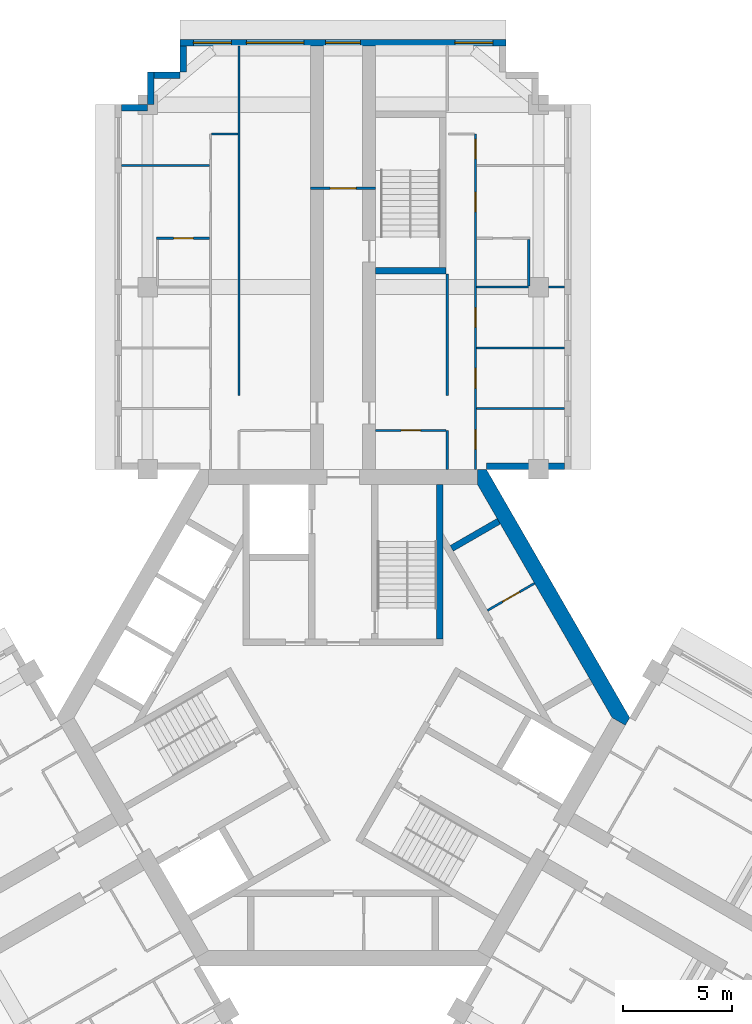
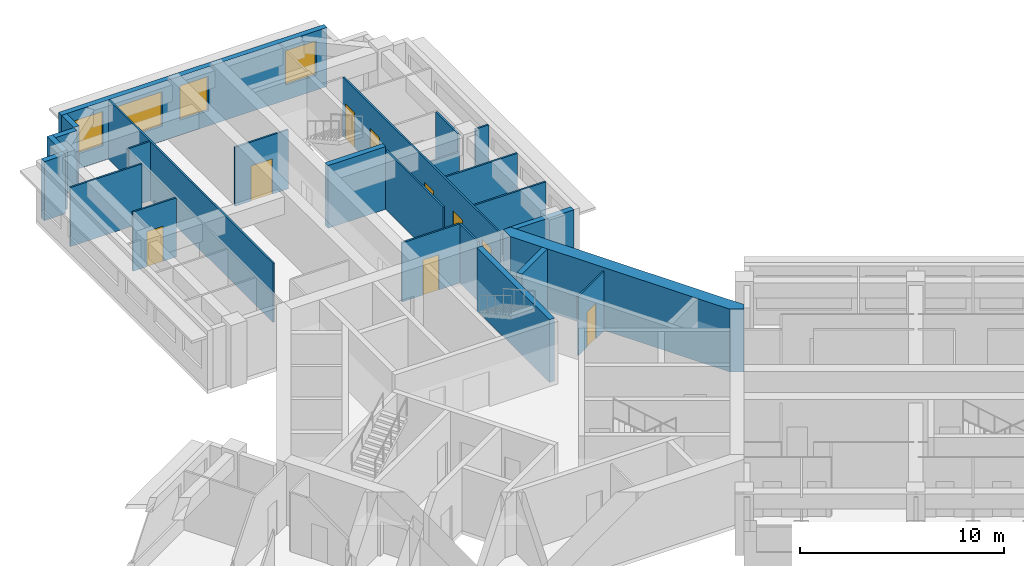
# One storey, part 8 of 11: 25 walls, 9 doors, 4 windows, 13 openings.
"""IFC4 building model written with IfcOpenShell, lengths in metres."""

from ifc_helpers import new_model, si_unit, direction, frame, frame_2d, origin, place, context, subcontext, project, spatial, polyline, rectangle, outline, extrude, material, layer, layer_set, type_object, element, fill, save


model = new_model("IFC4")

# Units and contexts
model_context = context("Model", 3, precision=1e-05, world=origin(), true_north=direction((0.0, 1.0)))
body_context = subcontext(model_context, "Body", "Model", "MODEL_VIEW")
ifc_project = project(units=[si_unit("LENGTHUNIT", "METRE"), si_unit("AREAUNIT", "SQUARE_METRE"), si_unit("VOLUMEUNIT", "CUBIC_METRE"), si_unit("PLANEANGLEUNIT", "RADIAN"), si_unit("MASSUNIT", "GRAM", prefix="KILO")], contexts=[model_context])

# Site, building, storey
site_placement = place(None, origin())
site = spatial("IfcSite", under=ifc_project, at=site_placement, CompositionType="ELEMENT")
building_placement = place(site_placement, origin())
building = spatial("IfcBuilding", under=site, at=building_placement, Name="Impinga Residences", CompositionType="ELEMENT")
storey_placement = place(building_placement, frame((0.0, 0.0, 244.75)))
storey = spatial("IfcBuildingStorey", under=building, at=storey_placement, Name="L61", CompositionType="ELEMENT", Elevation=244.75)

# Wall, opening, door
ifc_material_1 = material(Name="Concrete blockwork", Category="masonry")
ifc_layer_1 = layer(ifc_material_1, 0.10009765625)
ifc_layer_set_1 = layer_set([ifc_layer_1], Name="CP1 core room partition, blockwork 100")
wall_type_1 = type_object("IfcWallType", Name="CP1 core room partition, blockwork 100", PredefinedType="PARTITIONING", material=ifc_layer_set_1)
wall_1_placement = place(storey_placement, frame((6.65380859375, 4.9384765625, 0.0), z_axis=(0.0, 0.0, 1.0), x_axis=(0.866022959057, 0.500004234368, 0.0)))
wall_1 = element("IfcWall", 1, at=wall_1_placement, inside=storey, type_object=wall_type_1, Name="Core room partition, blockwork L61:CORE:mid:ZP1", PredefinedType="PARTITIONING", context=body_context, shape_type="SweptSolid", body=[
    extrude(rectangle(XDim=2.5, YDim=0.10009765625, at=frame_2d((1.25, 0.0))), origin(), (0.0, 0.0, 1.0), 3.530029296875),
])
opening_1_placement = place(wall_1_placement, frame((0.800048828125, 0.0, 0.0)))
opening_1 = element("IfcOpeningElement", 2, at=opening_1_placement, cuts=wall_1, Name="Opening D6", PredefinedType="OPENING", context=body_context, shape_type="SweptSolid", body=[
    extrude(rectangle(XDim=0.89990234375, YDim=2.10009765625, at=frame_2d((0.449951171875, 1.050048828125))), frame((0.0, 0.06005859375, 0.0), z_axis=(0.0, -1.0, 0.0), x_axis=(1.0, 0.0, 0.0)), (0.0, 0.0, 1.0), 0.1201171875),
])
ifc_material_2 = material(Name="Timber door set", Category="wood")
door_type_1 = type_object("IfcDoorType", Name="D6 riser and store door 900x2100", OperationType="SINGLE_SWING_LEFT", PredefinedType="DOOR", material=ifc_material_2)
door_1_placement = place(opening_1_placement, origin())
door_1 = element("IfcDoor", 3, at=door_1_placement, inside=storey, type_object=door_type_1, Name="Cleaners' store door", OperationType="SINGLE_SWING_LEFT", OverallHeight=2.10009765625, OverallWidth=0.89990234375, PredefinedType="DOOR", context=body_context, shape_type="SweptSolid", body=[
    extrude(rectangle(XDim=0.89990234375, YDim=2.10009765625, at=frame_2d((0.449951171875, 1.050048828125))), frame((0.0, 0.02490234375, 0.0), z_axis=(0.0, -1.0, 0.0), x_axis=(1.0, 0.0, 0.0)), (0.0, 0.0, 1.0), 0.050048828125),
])
fill(opening_1, door_1)

wall_2_placement = place(storey_placement, frame((-1.5, 24.381591796875, 0.0), z_axis=(0.0, 0.0, 1.0), x_axis=(1.0, 0.0, 0.0)))
wall_2 = element("IfcWall", 4, at=wall_2_placement, inside=storey, type_object=wall_type_1, Name="Core room partition, blockwork L61:N:LNG", PredefinedType="PARTITIONING", context=body_context, shape_type="SweptSolid", body=[
    extrude(rectangle(XDim=3.0, YDim=0.10009765625, at=frame_2d((1.5, 0.0))), origin(), (0.0, 0.0, 1.0), 3.530029296875),
])
opening_2_placement = place(wall_2_placement, frame((0.89990234375, 0.0, 0.0)))
opening_2 = element("IfcOpeningElement", 5, at=opening_2_placement, cuts=wall_2, Name="Opening D3", PredefinedType="OPENING", context=body_context, shape_type="SweptSolid", body=[
    extrude(rectangle(XDim=1.199951171875, YDim=2.10009765625, at=frame_2d((0.60009765625, 1.050048828125))), frame((0.0, 0.06005859375, 0.0), z_axis=(0.0, -1.0, 0.0), x_axis=(1.0, 0.0, 0.0)), (0.0, 0.0, 1.0), 0.1201171875),
])
door_type_2 = type_object("IfcDoorType", Name="D3 room door, leaf and a half 1200x2100", OperationType="DOUBLE_SWING_LEFT", PredefinedType="DOOR", material=ifc_material_2)
door_2_placement = place(opening_2_placement, origin())
door_2 = element("IfcDoor", 6, at=door_2_placement, inside=storey, type_object=door_type_2, Name="Residents' lounge door N", OperationType="DOUBLE_SWING_LEFT", OverallHeight=2.10009765625, OverallWidth=1.199951171875, PredefinedType="DOOR", context=body_context, shape_type="SweptSolid", body=[
    extrude(rectangle(XDim=1.199951171875, YDim=2.10009765625, at=frame_2d((0.60009765625, 1.050048828125))), frame((0.0, 0.02490234375, 0.0), z_axis=(0.0, -1.0, 0.0), x_axis=(1.0, 0.0, 0.0)), (0.0, 0.0, 1.0), 0.050048828125),
])
fill(opening_2, door_2)

# Walls
ifc_material_3 = material(Name="Terracotta rainscreen on blockwork", Category="masonry")
ifc_layer_2 = layer(ifc_material_3, 0.300048828125)
ifc_layer_set_2 = layer_set([ifc_layer_2], Name="EW1 external wall, terracotta rainscreen on blockwork 300")
wall_type_2 = type_object("IfcWallType", Name="EW1 external wall, terracotta rainscreen on blockwork 300", PredefinedType="SOLIDWALL", material=ifc_layer_set_2)
wall_3_placement = place(storey_placement, frame((-10.199951171875, 28.08154296875, 0.0), z_axis=(0.0, 0.0, 1.0), x_axis=(1.0, 0.0, 0.0)))
element("IfcWall", 7, at=wall_3_placement, inside=storey, type_object=wall_type_2, Name="External wall EW1 L61", PredefinedType="SOLIDWALL", context=body_context, shape_type="SweptSolid", body=[
    extrude(rectangle(XDim=1.199951171875, YDim=0.300048828125, at=frame_2d((0.60009765625, 0.0))), origin(), (0.0, 0.0, 1.0), 3.530029296875),
])
wall_4_placement = place(storey_placement, frame((-8.85009765625, 28.236572265625, 0.0), z_axis=(0.0, 0.0, 1.0), x_axis=(0.0, 1.0, 0.0)))
element("IfcWall", 8, at=wall_4_placement, inside=storey, type_object=wall_type_2, Name="External wall EW1 L61", PredefinedType="SOLIDWALL", context=body_context, shape_type="SweptSolid", body=[
    extrude(rectangle(XDim=1.494873046875, YDim=0.300048828125, at=frame_2d((0.74755859375, 0.0))), origin(), (0.0, 0.0, 1.0), 3.530029296875),
])
wall_5_placement = place(storey_placement, frame((-8.699951171875, 29.58154296875, 0.0), z_axis=(0.0, 0.0, 1.0), x_axis=(1.0, 0.0, 0.0)))
element("IfcWall", 9, at=wall_5_placement, inside=storey, type_object=wall_type_2, Name="External wall EW1 L61", PredefinedType="SOLIDWALL", context=body_context, shape_type="SweptSolid", body=[
    extrude(rectangle(XDim=1.199951171875, YDim=0.300048828125, at=frame_2d((0.60009765625, 0.0))), origin(), (0.0, 0.0, 1.0), 3.530029296875),
])
wall_6_placement = place(storey_placement, frame((-7.35009765625, 29.736572265625, 0.0), z_axis=(0.0, 0.0, 1.0), x_axis=(0.0, 1.0, 0.0)))
element("IfcWall", 10, at=wall_6_placement, inside=storey, type_object=wall_type_2, Name="External wall EW1 L61", PredefinedType="SOLIDWALL", context=body_context, shape_type="SweptSolid", body=[
    extrude(rectangle(XDim=1.195068359375, YDim=0.300048828125, at=frame_2d((0.59765625, 0.0))), origin(), (0.0, 0.0, 1.0), 3.530029296875),
])

# Wall, openings, windows
wall_7_placement = place(storey_placement, frame((-7.5, 31.08154296875, 0.0), z_axis=(0.0, 0.0, 1.0), x_axis=(1.0, 0.0, 0.0)))
wall_7 = element("IfcWall", 11, at=wall_7_placement, inside=storey, type_object=wall_type_2, Name="External wall EW1 L61", PredefinedType="SOLIDWALL", context=body_context, shape_type="SweptSolid", body=[
    extrude(rectangle(XDim=15.0, YDim=0.300048828125, at=frame_2d((7.5, 0.0))), origin(), (0.0, 0.0, 1.0), 3.530029296875),
])
opening_3_placement = place(wall_7_placement, frame((0.60009765625, 0.0, 0.89990234375)))
opening_3 = element("IfcOpeningElement", 12, at=opening_3_placement, cuts=wall_7, Name="Opening W1", PredefinedType="OPENING", context=body_context, shape_type="SweptSolid", body=[
    extrude(rectangle(XDim=1.75, YDim=2.050048828125, at=frame_2d((0.875, 1.02490234375))), frame((0.0, 0.159912109375, 0.0), z_axis=(0.0, -1.0, 0.0), x_axis=(1.0, 0.0, 0.0)), (0.0, 0.0, 1.0), 0.320068359375),
])
opening_4_placement = place(wall_7_placement, frame((3.050048828125, 0.0, 0.89990234375)))
opening_4 = element("IfcOpeningElement", 13, at=opening_4_placement, cuts=wall_7, Name="Opening W18", PredefinedType="OPENING", context=body_context, shape_type="SweptSolid", body=[
    extrude(rectangle(XDim=2.64990234375, YDim=2.050048828125, at=frame_2d((1.324951171875, 1.02490234375))), frame((0.0, 0.159912109375, 0.0), z_axis=(0.0, -1.0, 0.0), x_axis=(1.0, 0.0, 0.0)), (0.0, 0.0, 1.0), 0.320068359375),
])
opening_5_placement = place(wall_7_placement, frame((6.699951171875, 0.0, 0.89990234375)))
opening_5 = element("IfcOpeningElement", 14, at=opening_5_placement, cuts=wall_7, Name="Opening W19", PredefinedType="OPENING", context=body_context, shape_type="SweptSolid", body=[
    extrude(rectangle(XDim=1.60009765625, YDim=2.050048828125, at=frame_2d((0.800048828125, 1.02490234375))), frame((0.0, 0.159912109375, 0.0), z_axis=(0.0, -1.0, 0.0), x_axis=(1.0, 0.0, 0.0)), (0.0, 0.0, 1.0), 0.320068359375),
])
opening_6_placement = place(wall_7_placement, frame((12.64990234375, 0.0, 0.89990234375)))
opening_6 = element("IfcOpeningElement", 15, at=opening_6_placement, cuts=wall_7, Name="Opening W1", PredefinedType="OPENING", context=body_context, shape_type="SweptSolid", body=[
    extrude(rectangle(XDim=1.75, YDim=2.050048828125, at=frame_2d((0.875, 1.02490234375))), frame((0.0, 0.159912109375, 0.0), z_axis=(0.0, -1.0, 0.0), x_axis=(1.0, 0.0, 0.0)), (0.0, 0.0, 1.0), 0.320068359375),
])
ifc_material_4 = material(Name="Aluminium window, clear double glazing", Category="aluminium")
window_type_1 = type_object("IfcWindowType", Name="W1 ribbon window 1750x2050", PartitioningType="SINGLE_PANEL", PredefinedType="WINDOW", material=ifc_material_4)
window_1_placement = place(opening_3_placement, origin())
window_1 = element("IfcWindow", 16, at=window_1_placement, inside=storey, type_object=window_type_1, Name="Window L61", OverallHeight=2.050048828125, OverallWidth=1.75, PartitioningType="SINGLE_PANEL", PredefinedType="WINDOW", context=body_context, shape_type="SweptSolid", body=[
    extrude(rectangle(XDim=1.75, YDim=2.050048828125, at=frame_2d((0.875, 1.02490234375))), frame((0.0, 0.030029296875, 0.0), z_axis=(0.0, -1.0, 0.0), x_axis=(1.0, 0.0, 0.0)), (0.0, 0.0, 1.0), 0.06005859375),
])
fill(opening_3, window_1)
window_2_placement = place(opening_6_placement, origin())
window_2 = element("IfcWindow", 17, at=window_2_placement, inside=storey, type_object=window_type_1, Name="Window L61", OverallHeight=2.050048828125, OverallWidth=1.75, PartitioningType="SINGLE_PANEL", PredefinedType="WINDOW", context=body_context, shape_type="SweptSolid", body=[
    extrude(rectangle(XDim=1.75, YDim=2.050048828125, at=frame_2d((0.875, 1.02490234375))), frame((0.0, 0.030029296875, 0.0), z_axis=(0.0, -1.0, 0.0), x_axis=(1.0, 0.0, 0.0)), (0.0, 0.0, 1.0), 0.06005859375),
])
fill(opening_6, window_2)
window_type_2 = type_object("IfcWindowType", Name="W18 ribbon window 2650x2050", PartitioningType="SINGLE_PANEL", PredefinedType="WINDOW", material=ifc_material_4)
window_3_placement = place(opening_4_placement, origin())
window_3 = element("IfcWindow", 18, at=window_3_placement, inside=storey, type_object=window_type_2, Name="Window L61", OverallHeight=2.050048828125, OverallWidth=2.64990234375, PartitioningType="SINGLE_PANEL", PredefinedType="WINDOW", context=body_context, shape_type="SweptSolid", body=[
    extrude(rectangle(XDim=2.64990234375, YDim=2.050048828125, at=frame_2d((1.324951171875, 1.02490234375))), frame((0.0, 0.030029296875, 0.0), z_axis=(0.0, -1.0, 0.0), x_axis=(1.0, 0.0, 0.0)), (0.0, 0.0, 1.0), 0.06005859375),
])
fill(opening_4, window_3)
window_type_3 = type_object("IfcWindowType", Name="W19 ribbon window 1600x2050", PartitioningType="SINGLE_PANEL", PredefinedType="WINDOW", material=ifc_material_4)
window_4_placement = place(opening_5_placement, origin())
window_4 = element("IfcWindow", 19, at=window_4_placement, inside=storey, type_object=window_type_3, Name="Window L61", OverallHeight=2.050048828125, OverallWidth=1.60009765625, PartitioningType="SINGLE_PANEL", PredefinedType="WINDOW", context=body_context, shape_type="SweptSolid", body=[
    extrude(rectangle(XDim=1.60009765625, YDim=2.050048828125, at=frame_2d((0.800048828125, 1.02490234375))), frame((0.0, 0.030029296875, 0.0), z_axis=(0.0, -1.0, 0.0), x_axis=(1.0, 0.0, 0.0)), (0.0, 0.0, 1.0), 0.06005859375),
])
fill(opening_5, window_4)

# Walls
wall_8_placement = place(storey_placement, frame((10.199951171875, 11.58154296875, 0.0), z_axis=(0.0, 0.0, 1.0), x_axis=(-1.0, 0.0, 0.0)))
element("IfcWall", 20, at=wall_8_placement, inside=storey, type_object=wall_type_2, Name="External wall EW1 L61", PredefinedType="SOLIDWALL", context=body_context, shape_type="SweptSolid", body=[
    extrude(rectangle(XDim=3.599853515625, YDim=0.300048828125, at=frame_2d((1.7998046875, 0.0))), origin(), (0.0, 0.0, 1.0), 3.530029296875),
])
ifc_material_5 = material(Name="Gypsum board on steel studs", Category="steel")
ifc_layer_3 = layer(ifc_material_5, 0.10009765625)
ifc_layer_set_3 = layer_set([ifc_layer_3], Name="Gypsum board on steel studs")
wall_type_3 = type_object("IfcWallType", Name="IP1 partition 100", PredefinedType="PARTITIONING", material=ifc_layer_set_3)
wall_9_placement = place(storey_placement, frame((-4.800048828125, 14.83154296875, 0.0), z_axis=(0.0, 0.0, 1.0), x_axis=(0.0, 1.0, 0.0)))
element("IfcWall", 21, at=wall_9_placement, inside=storey, type_object=wall_type_3, Name="Partition L61-NA1:DIV1", PredefinedType="PARTITIONING", context=body_context, shape_type="SweptSolid", body=[
    extrude(rectangle(XDim=16.10009765625, YDim=0.10009765625, at=frame_2d((8.050048828125, 0.0))), origin(), (0.0, 0.0, 1.0), 3.530029296875),
])
wall_10_placement = place(storey_placement, frame((-4.85009765625, 26.881591796875, 0.0), z_axis=(0.0, 0.0, 1.0), x_axis=(-1.0, 0.0, 0.0)))
element("IfcWall", 22, at=wall_10_placement, inside=storey, type_object=wall_type_3, Name="Partition L61-NA1:SE1", PredefinedType="PARTITIONING", context=body_context, shape_type="SweptSolid", body=[
    extrude(rectangle(XDim=1.199951171875, YDim=0.10009765625, at=frame_2d((0.60009765625, 0.0))), origin(), (0.0, 0.0, 1.0), 3.530029296875),
])
wall_11_placement = place(storey_placement, frame((-6.14990234375, 25.431640625, 0.0), z_axis=(0.0, 0.0, 1.0), x_axis=(-1.0, 0.0, 0.0)))
element("IfcWall", 23, at=wall_11_placement, inside=storey, type_object=wall_type_3, Name="Partition L61-NA1:OB4", PredefinedType="PARTITIONING", context=body_context, shape_type="SweptSolid", body=[
    extrude(rectangle(XDim=4.050048828125, YDim=0.10009765625, at=frame_2d((2.02490234375, 0.0))), origin(), (0.0, 0.0, 1.0), 3.530029296875),
])

# Wall, opening, door
wall_12_placement = place(storey_placement, frame((-6.14990234375, 22.08154296875, 0.0), z_axis=(0.0, 0.0, 1.0), x_axis=(-1.0, 0.0, 0.0)))
wall_12 = element("IfcWall", 24, at=wall_12_placement, inside=storey, type_object=wall_type_3, Name="Partition L61-NA1:EN1", PredefinedType="PARTITIONING", context=body_context, shape_type="SweptSolid", body=[
    extrude(rectangle(XDim=2.4501953125, YDim=0.10009765625, at=frame_2d((1.22509765625, 0.0))), origin(), (0.0, 0.0, 1.0), 3.530029296875),
])
opening_7_placement = place(wall_12_placement, frame((0.75, 0.0, 0.0)))
opening_7 = element("IfcOpeningElement", 25, at=opening_7_placement, cuts=wall_12, Name="Opening D2", PredefinedType="OPENING", context=body_context, shape_type="SweptSolid", body=[
    extrude(rectangle(XDim=0.89990234375, YDim=2.10009765625, at=frame_2d((0.449951171875, 1.050048828125))), frame((0.0, 0.06005859375, 0.0), z_axis=(0.0, -1.0, 0.0), x_axis=(1.0, 0.0, 0.0)), (0.0, 0.0, 1.0), 0.1201171875),
])
door_type_3 = type_object("IfcDoorType", Name="D2 internal door 900x2100", OperationType="SINGLE_SWING_LEFT", PredefinedType="DOOR", material=ifc_material_2)
door_3_placement = place(opening_7_placement, origin())
door_3 = element("IfcDoor", 26, at=door_3_placement, inside=storey, type_object=door_type_3, Name="Apartment L61-NA1 en-suite door", OperationType="SINGLE_SWING_LEFT", OverallHeight=2.10009765625, OverallWidth=0.89990234375, PredefinedType="DOOR", context=body_context, shape_type="SweptSolid", body=[
    extrude(rectangle(XDim=0.89990234375, YDim=2.10009765625, at=frame_2d((0.449951171875, 1.050048828125))), frame((0.0, 0.02490234375, 0.0), z_axis=(0.0, -1.0, 0.0), x_axis=(1.0, 0.0, 0.0)), (0.0, 0.0, 1.0), 0.050048828125),
])
fill(opening_7, door_3)

# Walls
wall_13_placement = place(storey_placement, frame((4.800048828125, 11.431640625, 0.0), z_axis=(0.0, 0.0, 1.0), x_axis=(0.0, 1.0, 0.0)))
element("IfcWall", 27, at=wall_13_placement, inside=storey, type_object=wall_type_3, Name="Partition L61-NF1:DIV0", PredefinedType="PARTITIONING", context=body_context, shape_type="SweptSolid", body=[
    extrude(rectangle(XDim=1.7998046875, YDim=0.10009765625, at=frame_2d((0.89990234375, 0.0))), origin(), (0.0, 0.0, 1.0), 3.530029296875),
])
wall_14_placement = place(storey_placement, frame((4.800048828125, 14.83154296875, 0.0), z_axis=(0.0, 0.0, 1.0), x_axis=(0.0, 1.0, 0.0)))
element("IfcWall", 28, at=wall_14_placement, inside=storey, type_object=wall_type_3, Name="Partition L61-NF1:DIV1", PredefinedType="PARTITIONING", context=body_context, shape_type="SweptSolid", body=[
    extrude(rectangle(XDim=5.60009765625, YDim=0.10009765625, at=frame_2d((2.800048828125, 0.0))), origin(), (0.0, 0.0, 1.0), 3.530029296875),
])

# Wall, openings, doors
wall_15_placement = place(storey_placement, frame((6.10009765625, 11.431640625, 0.0), z_axis=(0.0, 0.0, 1.0), x_axis=(0.0, 1.0, 0.0)))
wall_15 = element("IfcWall", 29, at=wall_15_placement, inside=storey, type_object=wall_type_3, Name="Partition L61-NF1:STRIP", PredefinedType="PARTITIONING", context=body_context, shape_type="SweptSolid", body=[
    extrude(rectangle(XDim=15.449951171875, YDim=0.10009765625, at=frame_2d((7.72509765625, 0.0))), origin(), (0.0, 0.0, 1.0), 3.530029296875),
])
opening_8_placement = place(wall_15_placement, frame((0.925048828125, 0.0, 0.0)))
opening_8 = element("IfcOpeningElement", 30, at=opening_8_placement, cuts=wall_15, Name="Opening D2", PredefinedType="OPENING", context=body_context, shape_type="SweptSolid", body=[
    extrude(rectangle(XDim=0.89990234375, YDim=2.10009765625, at=frame_2d((0.449951171875, 1.050048828125))), frame((0.0, 0.06005859375, 0.0), z_axis=(0.0, -1.0, 0.0), x_axis=(1.0, 0.0, 0.0)), (0.0, 0.0, 1.0), 0.1201171875),
])
opening_9_placement = place(wall_15_placement, frame((3.75, 0.0, 0.0)))
opening_9 = element("IfcOpeningElement", 31, at=opening_9_placement, cuts=wall_15, Name="Opening D2", PredefinedType="OPENING", context=body_context, shape_type="SweptSolid", body=[
    extrude(rectangle(XDim=0.89990234375, YDim=2.10009765625, at=frame_2d((0.449951171875, 1.050048828125))), frame((0.0, 0.06005859375, 0.0), z_axis=(0.0, -1.0, 0.0), x_axis=(1.0, 0.0, 0.0)), (0.0, 0.0, 1.0), 0.1201171875),
])
opening_10_placement = place(wall_15_placement, frame((6.550048828125, 0.0, 0.0)))
opening_10 = element("IfcOpeningElement", 32, at=opening_10_placement, cuts=wall_15, Name="Opening D2", PredefinedType="OPENING", context=body_context, shape_type="SweptSolid", body=[
    extrude(rectangle(XDim=0.89990234375, YDim=2.10009765625, at=frame_2d((0.449951171875, 1.050048828125))), frame((0.0, 0.06005859375, 0.0), z_axis=(0.0, -1.0, 0.0), x_axis=(1.0, 0.0, 0.0)), (0.0, 0.0, 1.0), 0.1201171875),
])
opening_11_placement = place(wall_15_placement, frame((11.875, 0.0, 0.0)))
opening_11 = element("IfcOpeningElement", 33, at=opening_11_placement, cuts=wall_15, Name="Opening D2", PredefinedType="OPENING", context=body_context, shape_type="SweptSolid", body=[
    extrude(rectangle(XDim=0.89990234375, YDim=2.10009765625, at=frame_2d((0.449951171875, 1.050048828125))), frame((0.0, 0.06005859375, 0.0), z_axis=(0.0, -1.0, 0.0), x_axis=(1.0, 0.0, 0.0)), (0.0, 0.0, 1.0), 0.1201171875),
])
opening_12_placement = place(wall_15_placement, frame((14.300048828125, 0.0, 0.0)))
opening_12 = element("IfcOpeningElement", 34, at=opening_12_placement, cuts=wall_15, Name="Opening D2", PredefinedType="OPENING", context=body_context, shape_type="SweptSolid", body=[
    extrude(rectangle(XDim=0.89990234375, YDim=2.10009765625, at=frame_2d((0.449951171875, 1.050048828125))), frame((0.0, 0.06005859375, 0.0), z_axis=(0.0, -1.0, 0.0), x_axis=(1.0, 0.0, 0.0)), (0.0, 0.0, 1.0), 0.1201171875),
])
door_4_placement = place(opening_8_placement, origin())
door_4 = element("IfcDoor", 35, at=door_4_placement, inside=storey, type_object=door_type_3, Name="Apartment L61-NF1 room door", OperationType="SINGLE_SWING_LEFT", OverallHeight=2.10009765625, OverallWidth=0.89990234375, PredefinedType="DOOR", context=body_context, shape_type="SweptSolid", body=[
    extrude(rectangle(XDim=0.89990234375, YDim=2.10009765625, at=frame_2d((0.449951171875, 1.050048828125))), frame((0.0, 0.02490234375, 0.0), z_axis=(0.0, -1.0, 0.0), x_axis=(1.0, 0.0, 0.0)), (0.0, 0.0, 1.0), 0.050048828125),
])
fill(opening_8, door_4)
door_5_placement = place(opening_9_placement, origin())
door_5 = element("IfcDoor", 36, at=door_5_placement, inside=storey, type_object=door_type_3, Name="Apartment L61-NF1 room door", OperationType="SINGLE_SWING_LEFT", OverallHeight=2.10009765625, OverallWidth=0.89990234375, PredefinedType="DOOR", context=body_context, shape_type="SweptSolid", body=[
    extrude(rectangle(XDim=0.89990234375, YDim=2.10009765625, at=frame_2d((0.449951171875, 1.050048828125))), frame((0.0, 0.02490234375, 0.0), z_axis=(0.0, -1.0, 0.0), x_axis=(1.0, 0.0, 0.0)), (0.0, 0.0, 1.0), 0.050048828125),
])
fill(opening_9, door_5)
door_6_placement = place(opening_10_placement, origin())
door_6 = element("IfcDoor", 37, at=door_6_placement, inside=storey, type_object=door_type_3, Name="Apartment L61-NF1 room door", OperationType="SINGLE_SWING_LEFT", OverallHeight=2.10009765625, OverallWidth=0.89990234375, PredefinedType="DOOR", context=body_context, shape_type="SweptSolid", body=[
    extrude(rectangle(XDim=0.89990234375, YDim=2.10009765625, at=frame_2d((0.449951171875, 1.050048828125))), frame((0.0, 0.02490234375, 0.0), z_axis=(0.0, -1.0, 0.0), x_axis=(1.0, 0.0, 0.0)), (0.0, 0.0, 1.0), 0.050048828125),
])
fill(opening_10, door_6)
door_7_placement = place(opening_11_placement, origin())
door_7 = element("IfcDoor", 38, at=door_7_placement, inside=storey, type_object=door_type_3, Name="Apartment L61-NF1 room door", OperationType="SINGLE_SWING_RIGHT", OverallHeight=2.10009765625, OverallWidth=0.89990234375, PredefinedType="DOOR", context=body_context, shape_type="SweptSolid", body=[
    extrude(rectangle(XDim=0.89990234375, YDim=2.10009765625, at=frame_2d((0.449951171875, 1.050048828125))), frame((0.0, 0.02490234375, 0.0), z_axis=(0.0, -1.0, 0.0), x_axis=(1.0, 0.0, 0.0)), (0.0, 0.0, 1.0), 0.050048828125),
])
fill(opening_11, door_7)
door_8_placement = place(opening_12_placement, origin())
door_8 = element("IfcDoor", 39, at=door_8_placement, inside=storey, type_object=door_type_3, Name="Apartment L61-NF1 room door", OperationType="SINGLE_SWING_RIGHT", OverallHeight=2.10009765625, OverallWidth=0.89990234375, PredefinedType="DOOR", context=body_context, shape_type="SweptSolid", body=[
    extrude(rectangle(XDim=0.89990234375, YDim=2.10009765625, at=frame_2d((0.449951171875, 1.050048828125))), frame((0.0, 0.02490234375, 0.0), z_axis=(0.0, -1.0, 0.0), x_axis=(1.0, 0.0, 0.0)), (0.0, 0.0, 1.0), 0.050048828125),
])
fill(opening_12, door_8)

# Wall, opening, door
wall_16_placement = place(storey_placement, frame((1.5, 13.2314453125, 0.0), z_axis=(0.0, 0.0, 1.0), x_axis=(1.0, 0.0, 0.0)))
wall_16 = element("IfcWall", 40, at=wall_16_placement, inside=storey, type_object=wall_type_3, Name="Partition L61-NF1:IB1", PredefinedType="PARTITIONING", context=body_context, shape_type="SweptSolid", body=[
    extrude(rectangle(XDim=3.25, YDim=0.10009765625, at=frame_2d((1.625, 0.0))), origin(), (0.0, 0.0, 1.0), 3.530029296875),
])
opening_13_placement = place(wall_16_placement, frame((1.175048828125, 0.0, 0.0)))
opening_13 = element("IfcOpeningElement", 41, at=opening_13_placement, cuts=wall_16, Name="Opening D2", PredefinedType="OPENING", context=body_context, shape_type="SweptSolid", body=[
    extrude(rectangle(XDim=0.89990234375, YDim=2.10009765625, at=frame_2d((0.449951171875, 1.050048828125))), frame((0.0, 0.06005859375, 0.0), z_axis=(0.0, -1.0, 0.0), x_axis=(1.0, 0.0, 0.0)), (0.0, 0.0, 1.0), 0.1201171875),
])
door_9_placement = place(opening_13_placement, origin())
door_9 = element("IfcDoor", 42, at=door_9_placement, inside=storey, type_object=door_type_3, Name="Apartment L61-NF1 bathroom door", OperationType="SINGLE_SWING_LEFT", OverallHeight=2.10009765625, OverallWidth=0.89990234375, PredefinedType="DOOR", context=body_context, shape_type="SweptSolid", body=[
    extrude(rectangle(XDim=0.89990234375, YDim=2.10009765625, at=frame_2d((0.449951171875, 1.050048828125))), frame((0.0, 0.02490234375, 0.0), z_axis=(0.0, -1.0, 0.0), x_axis=(1.0, 0.0, 0.0)), (0.0, 0.0, 1.0), 0.050048828125),
])
fill(opening_13, door_9)

# Walls
for number, where, z_axis, x_axis, name in (
    (43, (6.14990234375, 14.2314453125, 0.0), (0.0, 0.0, 1.0), (1.0, 0.0, 0.0), "Partition L61-NF1:OB1"),
    (44, (6.14990234375, 17.031494140625, 0.0), (0.0, 0.0, 1.0), (1.0, 0.0, 0.0), "Partition L61-NF1:OB2"),
):
    element("IfcWall", number, at=place(storey_placement, frame(where, z_axis=z_axis, x_axis=x_axis)), inside=storey, type_object=wall_type_3, Name=name, PredefinedType="PARTITIONING", context=body_context, shape_type="SweptSolid", body=[
        extrude(rectangle(XDim=4.050048828125, YDim=0.10009765625, at=frame_2d((2.02490234375, 0.0))), origin(), (0.0, 0.0, 1.0), 3.530029296875),
    ])
wall_17_placement = place(storey_placement, frame((6.14990234375, 19.83154296875, 0.0), z_axis=(0.0, 0.0, 1.0), x_axis=(1.0, 0.0, 0.0)))
element("IfcWall", 45, at=wall_17_placement, inside=storey, type_object=wall_type_3, Name="Partition L61-NF1:OB3", PredefinedType="PARTITIONING", context=body_context, shape_type="SweptSolid", body=[
    extrude(rectangle(XDim=2.400146484375, YDim=0.10009765625, at=frame_2d((1.2001953125, 0.0))), origin(), (0.0, 0.0, 1.0), 2.47998046875),
])
wall_18_placement = place(storey_placement, frame((9.449951171875, 19.83154296875, 0.0), z_axis=(0.0, 0.0, 1.0), x_axis=(1.0, 0.0, 0.0)))
element("IfcWall", 46, at=wall_18_placement, inside=storey, type_object=wall_type_3, Name="Partition L61-NF1:OB3b", PredefinedType="PARTITIONING", context=body_context, shape_type="SweptSolid", body=[
    extrude(rectangle(XDim=0.75, YDim=0.10009765625, at=frame_2d((0.375, 0.0))), origin(), (0.0, 0.0, 1.0), 3.530029296875),
])
wall_19_placement = place(storey_placement, frame((8.550048828125, 19.881591796875, 0.0), z_axis=(0.0, 0.0, 1.0), x_axis=(0.0, 1.0, 0.0)))
element("IfcWall", 47, at=wall_19_placement, inside=storey, type_object=wall_type_3, Name="Partition L61-NF1:EN2", PredefinedType="PARTITIONING", context=body_context, shape_type="SweptSolid", body=[
    extrude(rectangle(XDim=2.14990234375, YDim=0.10009765625, at=frame_2d((1.074951171875, 0.0))), origin(), (0.0, 0.0, 1.0), 3.530029296875),
])
ifc_material_6 = material(Name="Concrete C60/75", Category="concrete")
ifc_layer_4 = layer(ifc_material_6, 0.300048828125)
ifc_layer_set_4 = layer_set([ifc_layer_4], Name="Concrete C60/75")
wall_type_4 = type_object("IfcWallType", Name="SE1 wing stair enclosure wall 300", PredefinedType="SOLIDWALL", material=ifc_layer_set_4)
wall_20_placement = place(storey_placement, frame((1.5, 20.58154296875, 0.0), z_axis=(0.0, 0.0, 1.0), x_axis=(1.0, 0.0, 0.0)))
element("IfcWall", 48, at=wall_20_placement, inside=storey, type_object=wall_type_4, Name="Stair enclosure wall SE1 N END0 L61", PredefinedType="SOLIDWALL", context=body_context, shape_type="SweptSolid", body=[
    extrude(rectangle(XDim=3.25, YDim=0.300048828125, at=frame_2d((1.625, 0.0))), origin(), (0.0, 0.0, 1.0), 3.75),
])
ifc_layer_5 = layer(ifc_material_6, 0.699951171875)
ifc_layer_set_5 = layer_set([ifc_layer_5], Name="Concrete C60/75")
wall_type_5 = type_object("IfcWallType", Name="SW3 core wall 700", PredefinedType="SHEAR", material=ifc_layer_set_5)
wall_21_placement = place(storey_placement, origin())
element("IfcWall", 49, at=wall_21_placement, inside=storey, type_object=wall_type_5, Name="Core wall SW3 W:EXPOSED L61", PredefinedType="SHEAR", context=body_context, shape_type="SweptSolid", body=[
    extrude(outline(polyline([(13.199951171875, 0.0), (6.60009765625, 11.431640625), (6.19580078125, 11.431640625), (6.19580078125, 10.7314453125), (12.3916015625, 0.0), (12.998046875, -0.35009765625), (13.199951171875, 0.0)])), origin(), (0.0, 0.0, 1.0), 3.75),
])
ifc_material_7 = material(Name="Concrete C70/85", Category="concrete")
ifc_layer_6 = layer(ifc_material_7, 0.300048828125)
ifc_layer_set_6 = layer_set([ifc_layer_6], Name="Concrete C70/85")
wall_type_6 = type_object("IfcWallType", Name="SW5 core inner wall, stairs, shafts and lobbies 300", PredefinedType="SHEAR", material=ifc_layer_set_6)
wall_22_placement = place(storey_placement, frame((4.449951171875, 3.6298828125, 0.0), z_axis=(0.0, 0.0, 1.0), x_axis=(0.0, 1.0, 0.0)))
element("IfcWall", 50, at=wall_22_placement, inside=storey, type_object=wall_type_6, Name="Core wall SW5 N:ST-OUT L61", PredefinedType="SHEAR", context=body_context, shape_type="SweptSolid", body=[
    extrude(rectangle(XDim=7.1015625, YDim=0.300048828125, at=frame_2d((3.55078125, 0.0))), origin(), (0.0, 0.0, 1.0), 3.75),
])
wall_23_placement = place(storey_placement, frame((5.003662109375, 7.79638671875, 0.0), z_axis=(0.0, 0.0, 1.0), x_axis=(0.866022959057, 0.500004234368, 0.0)))
element("IfcWall", 51, at=wall_23_placement, inside=storey, type_object=wall_type_6, Name="Core wall SW5 W:BANK-L L61", PredefinedType="SHEAR", context=body_context, shape_type="SweptSolid", body=[
    extrude(rectangle(XDim=2.5, YDim=0.300048828125, at=frame_2d((1.25, 0.0))), origin(), (0.0, 0.0, 1.0), 3.75),
])

save(model, "model.ifc")
